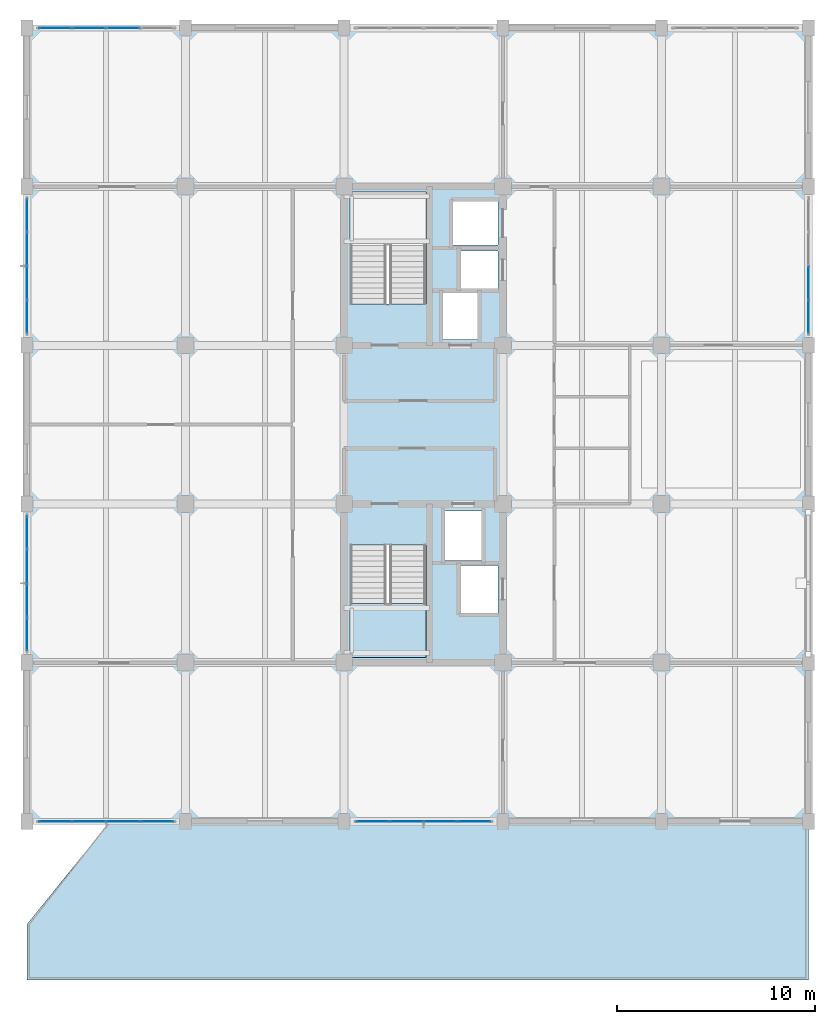
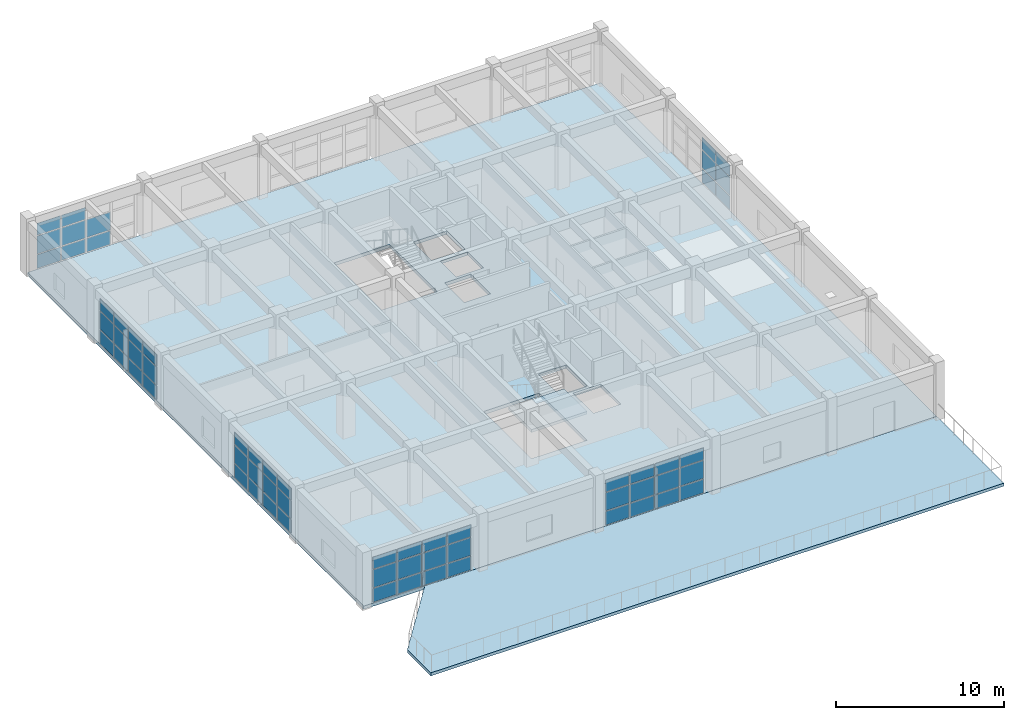
# One storey, part 20 of 30: 62 plates, 3 slabs, 7 elements without a shape of their own.
"""IFC4 building model written with IfcOpenShell, lengths in metres."""

from ifc_helpers import new_model, si_unit, direction, frame, origin, origin_2d, place, context, subcontext, project, spatial, polyline, rectangle, outline, extrude, material, layer, layer_set, type_object, element, aggregate, save


model = new_model("IFC4")

# Units and contexts
model_context = context("Model", 3, precision=1e-05, world=origin(), true_north=direction((0.0, 1.0)))
body_context = subcontext(model_context, "Body", "Model", "MODEL_VIEW")
ifc_project = project(units=[si_unit("LENGTHUNIT", "METRE"), si_unit("AREAUNIT", "SQUARE_METRE"), si_unit("VOLUMEUNIT", "CUBIC_METRE"), si_unit("PLANEANGLEUNIT", "RADIAN"), si_unit("MASSUNIT", "GRAM", prefix="KILO")], contexts=[model_context])

# Site, building, storey
site_placement = place(None, origin())
site = spatial("IfcSite", under=ifc_project, at=site_placement, CompositionType="ELEMENT")
building_placement = place(site_placement, origin())
building = spatial("IfcBuilding", under=site, at=building_placement, Name="Canggui Botanical Conservatory", CompositionType="ELEMENT")
storey_placement = place(building_placement, frame((0.0, 0.0, 27.60009765625)))
storey = spatial("IfcBuildingStorey", under=building, at=storey_placement, Name="L07", CompositionType="ELEMENT", Elevation=27.60009765625)

# Curtain wall, plates
ifc_material_1 = material(Name="Thermally Broken Aluminium", Category="aluminium")
ifc_layer_1 = layer(ifc_material_1, 0.179931640625, Name="Thermally Broken Aluminium", Category="aluminium")
ifc_layer_set_1 = layer_set([ifc_layer_1], Name="Thermally Broken Aluminium")
curtain_wall_type = type_object("IfcCurtainWallType", Name="CW-UNIT-A", PredefinedType="USERDEFINED", material=ifc_layer_set_1)
curtain_wall_1_placement = place(storey_placement, origin())
curtain_wall_1 = element("IfcCurtainWall", 1, at=curtain_wall_1_placement, inside=storey, type_object=curtain_wall_type, Name="Facade Curtain Wall CW-TWR-L07-03", ObjectType="UNITISED CURTAIN WALL", PredefinedType="USERDEFINED")
ifc_material_2 = material(Name="Low-E Insulated Glass", Category="glass")
ifc_layer_2 = layer(ifc_material_2, 0.02587890625, Name="Low-E Insulated Glass", Category="glass")
ifc_layer_set_2 = layer_set([ifc_layer_2], Name="Low-E Insulated Glass")
plate_type = type_object("IfcPlateType", Name="CWP-01", PredefinedType="CURTAIN_PANEL", material=ifc_layer_set_2)
plate_1_placement = place(storey_placement, frame((160.5625, 34.0, 0.06494140625), z_axis=(0.0, 0.0, 1.0), x_axis=(-1.0, 0.0, 0.0)))
plate_1 = element("IfcPlate", 2, at=plate_1_placement, type_object=plate_type, Name="CW-01 panel 1.1", PredefinedType="CURTAIN_PANEL", context=body_context, shape_type="SweptSolid", body=[
    extrude(rectangle(XDim=1.614990234375, YDim=0.02587890625, at=origin_2d()), origin(), (0.0, 0.0, 1.0), 0.990478515625),
])
plate_2_placement = place(storey_placement, frame((160.5625, 34.0, 1.120361328125), z_axis=(0.0, 0.0, 1.0), x_axis=(-1.0, 0.0, 0.0)))
plate_2 = element("IfcPlate", 3, at=plate_2_placement, type_object=plate_type, Name="CW-01 panel 1.2", PredefinedType="CURTAIN_PANEL", context=body_context, shape_type="SweptSolid", body=[
    extrude(rectangle(XDim=1.614990234375, YDim=0.02587890625, at=origin_2d()), origin(), (0.0, 0.0, 1.0), 1.294921875),
])
plate_3_placement = place(storey_placement, frame((160.5625, 34.0, 2.48046875), z_axis=(0.0, 0.0, 1.0), x_axis=(-1.0, 0.0, 0.0)))
plate_3 = element("IfcPlate", 4, at=plate_3_placement, type_object=plate_type, Name="CW-01 panel 1.3", PredefinedType="CURTAIN_PANEL", context=body_context, shape_type="SweptSolid", body=[
    extrude(rectangle(XDim=1.614990234375, YDim=0.02587890625, at=origin_2d()), origin(), (0.0, 0.0, 1.0), 0.8544921875),
])
plate_4_placement = place(storey_placement, frame((158.860107421875, 34.0, 0.06494140625), z_axis=(0.0, 0.0, 1.0), x_axis=(-1.0, 0.0, 0.0)))
plate_4 = element("IfcPlate", 5, at=plate_4_placement, type_object=plate_type, Name="CW-01 panel 2.1", PredefinedType="CURTAIN_PANEL", context=body_context, shape_type="SweptSolid", body=[
    extrude(rectangle(XDim=1.64990234375, YDim=0.02587890625, at=origin_2d()), origin(), (0.0, 0.0, 1.0), 0.990478515625),
])
plate_5_placement = place(storey_placement, frame((158.860107421875, 34.0, 1.120361328125), z_axis=(0.0, 0.0, 1.0), x_axis=(-1.0, 0.0, 0.0)))
plate_5 = element("IfcPlate", 6, at=plate_5_placement, type_object=plate_type, Name="CW-01 panel 2.2", PredefinedType="CURTAIN_PANEL", context=body_context, shape_type="SweptSolid", body=[
    extrude(rectangle(XDim=1.64990234375, YDim=0.02587890625, at=origin_2d()), origin(), (0.0, 0.0, 1.0), 1.294921875),
])
plate_6_placement = place(storey_placement, frame((158.860107421875, 34.0, 2.48046875), z_axis=(0.0, 0.0, 1.0), x_axis=(-1.0, 0.0, 0.0)))
plate_6 = element("IfcPlate", 7, at=plate_6_placement, type_object=plate_type, Name="CW-01 panel 2.3", PredefinedType="CURTAIN_PANEL", context=body_context, shape_type="SweptSolid", body=[
    extrude(rectangle(XDim=1.64990234375, YDim=0.02587890625, at=origin_2d()), origin(), (0.0, 0.0, 1.0), 0.8544921875),
])
plate_7_placement = place(storey_placement, frame((157.139892578125, 34.0, 0.06494140625), z_axis=(0.0, 0.0, 1.0), x_axis=(-1.0, 0.0, 0.0)))
plate_7 = element("IfcPlate", 8, at=plate_7_placement, type_object=plate_type, Name="CW-01 panel 3.1", PredefinedType="CURTAIN_PANEL", context=body_context, shape_type="SweptSolid", body=[
    extrude(rectangle(XDim=1.64990234375, YDim=0.02587890625, at=origin_2d()), origin(), (0.0, 0.0, 1.0), 0.990478515625),
])
plate_8_placement = place(storey_placement, frame((157.139892578125, 34.0, 1.120361328125), z_axis=(0.0, 0.0, 1.0), x_axis=(-1.0, 0.0, 0.0)))
plate_8 = element("IfcPlate", 9, at=plate_8_placement, type_object=plate_type, Name="CW-01 panel 3.2", PredefinedType="CURTAIN_PANEL", context=body_context, shape_type="SweptSolid", body=[
    extrude(rectangle(XDim=1.64990234375, YDim=0.02587890625, at=origin_2d()), origin(), (0.0, 0.0, 1.0), 1.294921875),
])
plate_9_placement = place(storey_placement, frame((157.139892578125, 34.0, 2.48046875), z_axis=(0.0, 0.0, 1.0), x_axis=(-1.0, 0.0, 0.0)))
plate_9 = element("IfcPlate", 10, at=plate_9_placement, type_object=plate_type, Name="CW-01 panel 3.3", PredefinedType="CURTAIN_PANEL", context=body_context, shape_type="SweptSolid", body=[
    extrude(rectangle(XDim=1.64990234375, YDim=0.02587890625, at=origin_2d()), origin(), (0.0, 0.0, 1.0), 0.8544921875),
])
plate_10_placement = place(storey_placement, frame((155.4375, 34.0, 0.06494140625), z_axis=(0.0, 0.0, 1.0), x_axis=(-1.0, 0.0, 0.0)))
plate_10 = element("IfcPlate", 11, at=plate_10_placement, type_object=plate_type, Name="CW-01 panel 4.1", PredefinedType="CURTAIN_PANEL", context=body_context, shape_type="SweptSolid", body=[
    extrude(rectangle(XDim=1.614990234375, YDim=0.02587890625, at=origin_2d()), origin(), (0.0, 0.0, 1.0), 0.990478515625),
])
plate_11_placement = place(storey_placement, frame((155.4375, 34.0, 1.120361328125), z_axis=(0.0, 0.0, 1.0), x_axis=(-1.0, 0.0, 0.0)))
plate_11 = element("IfcPlate", 12, at=plate_11_placement, type_object=plate_type, Name="CW-01 panel 4.2", PredefinedType="CURTAIN_PANEL", context=body_context, shape_type="SweptSolid", body=[
    extrude(rectangle(XDim=1.614990234375, YDim=0.02587890625, at=origin_2d()), origin(), (0.0, 0.0, 1.0), 1.294921875),
])
plate_12_placement = place(storey_placement, frame((155.4375, 34.0, 2.48046875), z_axis=(0.0, 0.0, 1.0), x_axis=(-1.0, 0.0, 0.0)))
plate_12 = element("IfcPlate", 13, at=plate_12_placement, type_object=plate_type, Name="CW-01 panel 4.3", PredefinedType="CURTAIN_PANEL", context=body_context, shape_type="SweptSolid", body=[
    extrude(rectangle(XDim=1.614990234375, YDim=0.02587890625, at=origin_2d()), origin(), (0.0, 0.0, 1.0), 0.8544921875),
])
aggregate(curtain_wall_1, [plate_1, plate_2, plate_3, plate_4, plate_5, plate_6, plate_7, plate_8, plate_9, plate_10, plate_11, plate_12])

curtain_wall_2_placement = place(storey_placement, origin())
curtain_wall_2 = element("IfcCurtainWall", 14, at=curtain_wall_2_placement, inside=storey, type_object=curtain_wall_type, Name="Facade Curtain Wall CW-TWR-L07-05", ObjectType="UNITISED CURTAIN WALL", PredefinedType="USERDEFINED")
plate_13_placement = place(storey_placement, frame((144.5625, 34.0, 0.06494140625), z_axis=(0.0, 0.0, 1.0), x_axis=(-1.0, 0.0, 0.0)))
plate_13 = element("IfcPlate", 15, at=plate_13_placement, type_object=plate_type, Name="CW-01 panel 1.1", PredefinedType="CURTAIN_PANEL", context=body_context, shape_type="SweptSolid", body=[
    extrude(rectangle(XDim=1.614990234375, YDim=0.02587890625, at=origin_2d()), origin(), (0.0, 0.0, 1.0), 0.990478515625),
])
plate_14_placement = place(storey_placement, frame((144.5625, 34.0, 1.120361328125), z_axis=(0.0, 0.0, 1.0), x_axis=(-1.0, 0.0, 0.0)))
plate_14 = element("IfcPlate", 16, at=plate_14_placement, type_object=plate_type, Name="CW-01 panel 1.2", PredefinedType="CURTAIN_PANEL", context=body_context, shape_type="SweptSolid", body=[
    extrude(rectangle(XDim=1.614990234375, YDim=0.02587890625, at=origin_2d()), origin(), (0.0, 0.0, 1.0), 1.294921875),
])
plate_15_placement = place(storey_placement, frame((144.5625, 34.0, 2.48046875), z_axis=(0.0, 0.0, 1.0), x_axis=(-1.0, 0.0, 0.0)))
plate_15 = element("IfcPlate", 17, at=plate_15_placement, type_object=plate_type, Name="CW-01 panel 1.3", PredefinedType="CURTAIN_PANEL", context=body_context, shape_type="SweptSolid", body=[
    extrude(rectangle(XDim=1.614990234375, YDim=0.02587890625, at=origin_2d()), origin(), (0.0, 0.0, 1.0), 0.8544921875),
])
plate_16_placement = place(storey_placement, frame((142.860107421875, 34.0, 0.06494140625), z_axis=(0.0, 0.0, 1.0), x_axis=(-1.0, 0.0, 0.0)))
plate_16 = element("IfcPlate", 18, at=plate_16_placement, type_object=plate_type, Name="CW-01 panel 2.1", PredefinedType="CURTAIN_PANEL", context=body_context, shape_type="SweptSolid", body=[
    extrude(rectangle(XDim=1.64990234375, YDim=0.02587890625, at=origin_2d()), origin(), (0.0, 0.0, 1.0), 0.990478515625),
])
plate_17_placement = place(storey_placement, frame((142.860107421875, 34.0, 1.120361328125), z_axis=(0.0, 0.0, 1.0), x_axis=(-1.0, 0.0, 0.0)))
plate_17 = element("IfcPlate", 19, at=plate_17_placement, type_object=plate_type, Name="CW-01 panel 2.2", PredefinedType="CURTAIN_PANEL", context=body_context, shape_type="SweptSolid", body=[
    extrude(rectangle(XDim=1.64990234375, YDim=0.02587890625, at=origin_2d()), origin(), (0.0, 0.0, 1.0), 1.294921875),
])
plate_18_placement = place(storey_placement, frame((142.860107421875, 34.0, 2.48046875), z_axis=(0.0, 0.0, 1.0), x_axis=(-1.0, 0.0, 0.0)))
plate_18 = element("IfcPlate", 20, at=plate_18_placement, type_object=plate_type, Name="CW-01 panel 2.3", PredefinedType="CURTAIN_PANEL", context=body_context, shape_type="SweptSolid", body=[
    extrude(rectangle(XDim=1.64990234375, YDim=0.02587890625, at=origin_2d()), origin(), (0.0, 0.0, 1.0), 0.8544921875),
])
plate_19_placement = place(storey_placement, frame((141.139892578125, 34.0, 0.06494140625), z_axis=(0.0, 0.0, 1.0), x_axis=(-1.0, 0.0, 0.0)))
plate_19 = element("IfcPlate", 21, at=plate_19_placement, type_object=plate_type, Name="CW-01 panel 3.1", PredefinedType="CURTAIN_PANEL", context=body_context, shape_type="SweptSolid", body=[
    extrude(rectangle(XDim=1.64990234375, YDim=0.02587890625, at=origin_2d()), origin(), (0.0, 0.0, 1.0), 0.990478515625),
])
plate_20_placement = place(storey_placement, frame((141.139892578125, 34.0, 1.120361328125), z_axis=(0.0, 0.0, 1.0), x_axis=(-1.0, 0.0, 0.0)))
plate_20 = element("IfcPlate", 22, at=plate_20_placement, type_object=plate_type, Name="CW-01 panel 3.2", PredefinedType="CURTAIN_PANEL", context=body_context, shape_type="SweptSolid", body=[
    extrude(rectangle(XDim=1.64990234375, YDim=0.02587890625, at=origin_2d()), origin(), (0.0, 0.0, 1.0), 1.294921875),
])
plate_21_placement = place(storey_placement, frame((141.139892578125, 34.0, 2.48046875), z_axis=(0.0, 0.0, 1.0), x_axis=(-1.0, 0.0, 0.0)))
plate_21 = element("IfcPlate", 23, at=plate_21_placement, type_object=plate_type, Name="CW-01 panel 3.3", PredefinedType="CURTAIN_PANEL", context=body_context, shape_type="SweptSolid", body=[
    extrude(rectangle(XDim=1.64990234375, YDim=0.02587890625, at=origin_2d()), origin(), (0.0, 0.0, 1.0), 0.8544921875),
])
plate_22_placement = place(storey_placement, frame((139.4375, 34.0, 0.06494140625), z_axis=(0.0, 0.0, 1.0), x_axis=(-1.0, 0.0, 0.0)))
plate_22 = element("IfcPlate", 24, at=plate_22_placement, type_object=plate_type, Name="CW-01 panel 4.1", PredefinedType="CURTAIN_PANEL", context=body_context, shape_type="SweptSolid", body=[
    extrude(rectangle(XDim=1.614990234375, YDim=0.02587890625, at=origin_2d()), origin(), (0.0, 0.0, 1.0), 0.990478515625),
])
plate_23_placement = place(storey_placement, frame((139.4375, 34.0, 1.120361328125), z_axis=(0.0, 0.0, 1.0), x_axis=(-1.0, 0.0, 0.0)))
plate_23 = element("IfcPlate", 25, at=plate_23_placement, type_object=plate_type, Name="CW-01 panel 4.2", PredefinedType="CURTAIN_PANEL", context=body_context, shape_type="SweptSolid", body=[
    extrude(rectangle(XDim=1.614990234375, YDim=0.02587890625, at=origin_2d()), origin(), (0.0, 0.0, 1.0), 1.294921875),
])
plate_24_placement = place(storey_placement, frame((139.4375, 34.0, 2.48046875), z_axis=(0.0, 0.0, 1.0), x_axis=(-1.0, 0.0, 0.0)))
plate_24 = element("IfcPlate", 26, at=plate_24_placement, type_object=plate_type, Name="CW-01 panel 4.3", PredefinedType="CURTAIN_PANEL", context=body_context, shape_type="SweptSolid", body=[
    extrude(rectangle(XDim=1.614990234375, YDim=0.02587890625, at=origin_2d()), origin(), (0.0, 0.0, 1.0), 0.8544921875),
])
aggregate(curtain_wall_2, [plate_13, plate_14, plate_15, plate_16, plate_17, plate_18, plate_19, plate_20, plate_21, plate_22, plate_23, plate_24])

curtain_wall_3_placement = place(storey_placement, origin())
curtain_wall_3 = element("IfcCurtainWall", 27, at=curtain_wall_3_placement, inside=storey, type_object=curtain_wall_type, Name="Facade Curtain Wall CW-TWR-L07-07", ObjectType="UNITISED CURTAIN WALL", PredefinedType="USERDEFINED")
plate_25_placement = place(storey_placement, frame((138.0, 43.4375, 0.06494140625), z_axis=(0.0, 0.0, 1.0), x_axis=(0.0, 1.0, 0.0)))
plate_25 = element("IfcPlate", 28, at=plate_25_placement, type_object=plate_type, Name="CW-01 panel 1.1", PredefinedType="CURTAIN_PANEL", context=body_context, shape_type="SweptSolid", body=[
    extrude(rectangle(XDim=1.614990234375, YDim=0.02587890625, at=origin_2d()), origin(), (0.0, 0.0, 1.0), 0.990478515625),
])
plate_26_placement = place(storey_placement, frame((138.0, 43.4375, 1.120361328125), z_axis=(0.0, 0.0, 1.0), x_axis=(0.0, 1.0, 0.0)))
plate_26 = element("IfcPlate", 29, at=plate_26_placement, type_object=plate_type, Name="CW-01 panel 1.2", PredefinedType="CURTAIN_PANEL", context=body_context, shape_type="SweptSolid", body=[
    extrude(rectangle(XDim=1.614990234375, YDim=0.02587890625, at=origin_2d()), origin(), (0.0, 0.0, 1.0), 1.294921875),
])
plate_27_placement = place(storey_placement, frame((138.0, 43.4375, 2.48046875), z_axis=(0.0, 0.0, 1.0), x_axis=(0.0, 1.0, 0.0)))
plate_27 = element("IfcPlate", 30, at=plate_27_placement, type_object=plate_type, Name="CW-01 panel 1.3", PredefinedType="CURTAIN_PANEL", context=body_context, shape_type="SweptSolid", body=[
    extrude(rectangle(XDim=1.614990234375, YDim=0.02587890625, at=origin_2d()), origin(), (0.0, 0.0, 1.0), 0.8544921875),
])
plate_28_placement = place(storey_placement, frame((138.0, 45.139892578125, 0.06494140625), z_axis=(0.0, 0.0, 1.0), x_axis=(0.0, 1.0, 0.0)))
plate_28 = element("IfcPlate", 31, at=plate_28_placement, type_object=plate_type, Name="CW-01 panel 2.1", PredefinedType="CURTAIN_PANEL", context=body_context, shape_type="SweptSolid", body=[
    extrude(rectangle(XDim=1.64990234375, YDim=0.02587890625, at=origin_2d()), origin(), (0.0, 0.0, 1.0), 0.990478515625),
])
plate_29_placement = place(storey_placement, frame((138.0, 45.139892578125, 1.120361328125), z_axis=(0.0, 0.0, 1.0), x_axis=(0.0, 1.0, 0.0)))
plate_29 = element("IfcPlate", 32, at=plate_29_placement, type_object=plate_type, Name="CW-01 panel 2.2", PredefinedType="CURTAIN_PANEL", context=body_context, shape_type="SweptSolid", body=[
    extrude(rectangle(XDim=1.64990234375, YDim=0.02587890625, at=origin_2d()), origin(), (0.0, 0.0, 1.0), 1.294921875),
])
plate_30_placement = place(storey_placement, frame((138.0, 45.139892578125, 2.48046875), z_axis=(0.0, 0.0, 1.0), x_axis=(0.0, 1.0, 0.0)))
plate_30 = element("IfcPlate", 33, at=plate_30_placement, type_object=plate_type, Name="CW-01 panel 2.3", PredefinedType="CURTAIN_PANEL", context=body_context, shape_type="SweptSolid", body=[
    extrude(rectangle(XDim=1.64990234375, YDim=0.02587890625, at=origin_2d()), origin(), (0.0, 0.0, 1.0), 0.8544921875),
])
plate_31_placement = place(storey_placement, frame((138.0, 46.860107421875, 0.06494140625), z_axis=(0.0, 0.0, 1.0), x_axis=(0.0, 1.0, 0.0)))
plate_31 = element("IfcPlate", 34, at=plate_31_placement, type_object=plate_type, Name="CW-01 panel 3.1", PredefinedType="CURTAIN_PANEL", context=body_context, shape_type="SweptSolid", body=[
    extrude(rectangle(XDim=1.64990234375, YDim=0.02587890625, at=origin_2d()), origin(), (0.0, 0.0, 1.0), 0.990478515625),
])
plate_32_placement = place(storey_placement, frame((138.0, 46.860107421875, 1.120361328125), z_axis=(0.0, 0.0, 1.0), x_axis=(0.0, 1.0, 0.0)))
plate_32 = element("IfcPlate", 35, at=plate_32_placement, type_object=plate_type, Name="CW-01 panel 3.2", PredefinedType="CURTAIN_PANEL", context=body_context, shape_type="SweptSolid", body=[
    extrude(rectangle(XDim=1.64990234375, YDim=0.02587890625, at=origin_2d()), origin(), (0.0, 0.0, 1.0), 1.294921875),
])
plate_33_placement = place(storey_placement, frame((138.0, 46.860107421875, 2.48046875), z_axis=(0.0, 0.0, 1.0), x_axis=(0.0, 1.0, 0.0)))
plate_33 = element("IfcPlate", 36, at=plate_33_placement, type_object=plate_type, Name="CW-01 panel 3.3", PredefinedType="CURTAIN_PANEL", context=body_context, shape_type="SweptSolid", body=[
    extrude(rectangle(XDim=1.64990234375, YDim=0.02587890625, at=origin_2d()), origin(), (0.0, 0.0, 1.0), 0.8544921875),
])
plate_34_placement = place(storey_placement, frame((138.0, 48.5625, 0.06494140625), z_axis=(0.0, 0.0, 1.0), x_axis=(0.0, 1.0, 0.0)))
plate_34 = element("IfcPlate", 37, at=plate_34_placement, type_object=plate_type, Name="CW-01 panel 4.1", PredefinedType="CURTAIN_PANEL", context=body_context, shape_type="SweptSolid", body=[
    extrude(rectangle(XDim=1.614990234375, YDim=0.02587890625, at=origin_2d()), origin(), (0.0, 0.0, 1.0), 0.990478515625),
])
plate_35_placement = place(storey_placement, frame((138.0, 48.5625, 1.120361328125), z_axis=(0.0, 0.0, 1.0), x_axis=(0.0, 1.0, 0.0)))
plate_35 = element("IfcPlate", 38, at=plate_35_placement, type_object=plate_type, Name="CW-01 panel 4.2", PredefinedType="CURTAIN_PANEL", context=body_context, shape_type="SweptSolid", body=[
    extrude(rectangle(XDim=1.614990234375, YDim=0.02587890625, at=origin_2d()), origin(), (0.0, 0.0, 1.0), 1.294921875),
])
plate_36_placement = place(storey_placement, frame((138.0, 48.5625, 2.48046875), z_axis=(0.0, 0.0, 1.0), x_axis=(0.0, 1.0, 0.0)))
plate_36 = element("IfcPlate", 39, at=plate_36_placement, type_object=plate_type, Name="CW-01 panel 4.3", PredefinedType="CURTAIN_PANEL", context=body_context, shape_type="SweptSolid", body=[
    extrude(rectangle(XDim=1.614990234375, YDim=0.02587890625, at=origin_2d()), origin(), (0.0, 0.0, 1.0), 0.8544921875),
])
aggregate(curtain_wall_3, [plate_25, plate_26, plate_27, plate_28, plate_29, plate_30, plate_31, plate_32, plate_33, plate_34, plate_35, plate_36])

curtain_wall_4_placement = place(storey_placement, origin())
curtain_wall_4 = element("IfcCurtainWall", 40, at=curtain_wall_4_placement, inside=storey, type_object=curtain_wall_type, Name="Facade Curtain Wall CW-TWR-L07-09", ObjectType="UNITISED CURTAIN WALL", PredefinedType="USERDEFINED")
plate_37_placement = place(storey_placement, frame((138.0, 59.4375, 0.06494140625), z_axis=(0.0, 0.0, 1.0), x_axis=(0.0, 1.0, 0.0)))
plate_37 = element("IfcPlate", 41, at=plate_37_placement, type_object=plate_type, Name="CW-01 panel 1.1", PredefinedType="CURTAIN_PANEL", context=body_context, shape_type="SweptSolid", body=[
    extrude(rectangle(XDim=1.614990234375, YDim=0.02587890625, at=origin_2d()), origin(), (0.0, 0.0, 1.0), 0.990478515625),
])
plate_38_placement = place(storey_placement, frame((138.0, 59.4375, 1.120361328125), z_axis=(0.0, 0.0, 1.0), x_axis=(0.0, 1.0, 0.0)))
plate_38 = element("IfcPlate", 42, at=plate_38_placement, type_object=plate_type, Name="CW-01 panel 1.2", PredefinedType="CURTAIN_PANEL", context=body_context, shape_type="SweptSolid", body=[
    extrude(rectangle(XDim=1.614990234375, YDim=0.02587890625, at=origin_2d()), origin(), (0.0, 0.0, 1.0), 1.294921875),
])
plate_39_placement = place(storey_placement, frame((138.0, 59.4375, 2.48046875), z_axis=(0.0, 0.0, 1.0), x_axis=(0.0, 1.0, 0.0)))
plate_39 = element("IfcPlate", 43, at=plate_39_placement, type_object=plate_type, Name="CW-01 panel 1.3", PredefinedType="CURTAIN_PANEL", context=body_context, shape_type="SweptSolid", body=[
    extrude(rectangle(XDim=1.614990234375, YDim=0.02587890625, at=origin_2d()), origin(), (0.0, 0.0, 1.0), 0.8544921875),
])
plate_40_placement = place(storey_placement, frame((138.0, 61.139892578125, 0.06494140625), z_axis=(0.0, 0.0, 1.0), x_axis=(0.0, 1.0, 0.0)))
plate_40 = element("IfcPlate", 44, at=plate_40_placement, type_object=plate_type, Name="CW-01 panel 2.1", PredefinedType="CURTAIN_PANEL", context=body_context, shape_type="SweptSolid", body=[
    extrude(rectangle(XDim=1.64990234375, YDim=0.02587890625, at=origin_2d()), origin(), (0.0, 0.0, 1.0), 0.990478515625),
])
plate_41_placement = place(storey_placement, frame((138.0, 61.139892578125, 1.120361328125), z_axis=(0.0, 0.0, 1.0), x_axis=(0.0, 1.0, 0.0)))
plate_41 = element("IfcPlate", 45, at=plate_41_placement, type_object=plate_type, Name="CW-01 panel 2.2", PredefinedType="CURTAIN_PANEL", context=body_context, shape_type="SweptSolid", body=[
    extrude(rectangle(XDim=1.64990234375, YDim=0.02587890625, at=origin_2d()), origin(), (0.0, 0.0, 1.0), 1.294921875),
])
plate_42_placement = place(storey_placement, frame((138.0, 61.139892578125, 2.48046875), z_axis=(0.0, 0.0, 1.0), x_axis=(0.0, 1.0, 0.0)))
plate_42 = element("IfcPlate", 46, at=plate_42_placement, type_object=plate_type, Name="CW-01 panel 2.3", PredefinedType="CURTAIN_PANEL", context=body_context, shape_type="SweptSolid", body=[
    extrude(rectangle(XDim=1.64990234375, YDim=0.02587890625, at=origin_2d()), origin(), (0.0, 0.0, 1.0), 0.8544921875),
])
plate_43_placement = place(storey_placement, frame((138.0, 62.860107421875, 0.06494140625), z_axis=(0.0, 0.0, 1.0), x_axis=(0.0, 1.0, 0.0)))
plate_43 = element("IfcPlate", 47, at=plate_43_placement, type_object=plate_type, Name="CW-01 panel 3.1", PredefinedType="CURTAIN_PANEL", context=body_context, shape_type="SweptSolid", body=[
    extrude(rectangle(XDim=1.64990234375, YDim=0.02587890625, at=origin_2d()), origin(), (0.0, 0.0, 1.0), 0.990478515625),
])
plate_44_placement = place(storey_placement, frame((138.0, 62.860107421875, 1.120361328125), z_axis=(0.0, 0.0, 1.0), x_axis=(0.0, 1.0, 0.0)))
plate_44 = element("IfcPlate", 48, at=plate_44_placement, type_object=plate_type, Name="CW-01 panel 3.2", PredefinedType="CURTAIN_PANEL", context=body_context, shape_type="SweptSolid", body=[
    extrude(rectangle(XDim=1.64990234375, YDim=0.02587890625, at=origin_2d()), origin(), (0.0, 0.0, 1.0), 1.294921875),
])
plate_45_placement = place(storey_placement, frame((138.0, 62.860107421875, 2.48046875), z_axis=(0.0, 0.0, 1.0), x_axis=(0.0, 1.0, 0.0)))
plate_45 = element("IfcPlate", 49, at=plate_45_placement, type_object=plate_type, Name="CW-01 panel 3.3", PredefinedType="CURTAIN_PANEL", context=body_context, shape_type="SweptSolid", body=[
    extrude(rectangle(XDim=1.64990234375, YDim=0.02587890625, at=origin_2d()), origin(), (0.0, 0.0, 1.0), 0.8544921875),
])
plate_46_placement = place(storey_placement, frame((138.0, 64.5625, 0.06494140625), z_axis=(0.0, 0.0, 1.0), x_axis=(0.0, 1.0, 0.0)))
plate_46 = element("IfcPlate", 50, at=plate_46_placement, type_object=plate_type, Name="CW-01 panel 4.1", PredefinedType="CURTAIN_PANEL", context=body_context, shape_type="SweptSolid", body=[
    extrude(rectangle(XDim=1.614990234375, YDim=0.02587890625, at=origin_2d()), origin(), (0.0, 0.0, 1.0), 0.990478515625),
])
plate_47_placement = place(storey_placement, frame((138.0, 64.5625, 1.120361328125), z_axis=(0.0, 0.0, 1.0), x_axis=(0.0, 1.0, 0.0)))
plate_47 = element("IfcPlate", 51, at=plate_47_placement, type_object=plate_type, Name="CW-01 panel 4.2", PredefinedType="CURTAIN_PANEL", context=body_context, shape_type="SweptSolid", body=[
    extrude(rectangle(XDim=1.614990234375, YDim=0.02587890625, at=origin_2d()), origin(), (0.0, 0.0, 1.0), 1.294921875),
])
plate_48_placement = place(storey_placement, frame((138.0, 64.5625, 2.48046875), z_axis=(0.0, 0.0, 1.0), x_axis=(0.0, 1.0, 0.0)))
plate_48 = element("IfcPlate", 52, at=plate_48_placement, type_object=plate_type, Name="CW-01 panel 4.3", PredefinedType="CURTAIN_PANEL", context=body_context, shape_type="SweptSolid", body=[
    extrude(rectangle(XDim=1.614990234375, YDim=0.02587890625, at=origin_2d()), origin(), (0.0, 0.0, 1.0), 0.8544921875),
])
aggregate(curtain_wall_4, [plate_37, plate_38, plate_39, plate_40, plate_41, plate_42, plate_43, plate_44, plate_45, plate_46, plate_47, plate_48])

curtain_wall_5_placement = place(storey_placement, origin())
curtain_wall_5 = element("IfcCurtainWall", 53, at=curtain_wall_5_placement, inside=storey, type_object=curtain_wall_type, Name="Facade Curtain Wall CW-TWR-L07-11", ObjectType="UNITISED CURTAIN WALL", PredefinedType="USERDEFINED")
plate_49_placement = place(storey_placement, frame((139.4375, 74.0, 0.06494140625), z_axis=(0.0, 0.0, 1.0), x_axis=(1.0, 0.0, 0.0)))
plate_49 = element("IfcPlate", 54, at=plate_49_placement, type_object=plate_type, Name="CW-01 panel 1.1", PredefinedType="CURTAIN_PANEL", context=body_context, shape_type="SweptSolid", body=[
    extrude(rectangle(XDim=1.614990234375, YDim=0.02587890625, at=origin_2d()), origin(), (0.0, 0.0, 1.0), 0.990478515625),
])
plate_50_placement = place(storey_placement, frame((139.4375, 74.0, 1.120361328125), z_axis=(0.0, 0.0, 1.0), x_axis=(1.0, 0.0, 0.0)))
plate_50 = element("IfcPlate", 55, at=plate_50_placement, type_object=plate_type, Name="CW-01 panel 1.2", PredefinedType="CURTAIN_PANEL", context=body_context, shape_type="SweptSolid", body=[
    extrude(rectangle(XDim=1.614990234375, YDim=0.02587890625, at=origin_2d()), origin(), (0.0, 0.0, 1.0), 1.294921875),
])
plate_51_placement = place(storey_placement, frame((139.4375, 74.0, 2.48046875), z_axis=(0.0, 0.0, 1.0), x_axis=(1.0, 0.0, 0.0)))
plate_51 = element("IfcPlate", 56, at=plate_51_placement, type_object=plate_type, Name="CW-01 panel 1.3", PredefinedType="CURTAIN_PANEL", context=body_context, shape_type="SweptSolid", body=[
    extrude(rectangle(XDim=1.614990234375, YDim=0.02587890625, at=origin_2d()), origin(), (0.0, 0.0, 1.0), 0.8544921875),
])
plate_52_placement = place(storey_placement, frame((141.139892578125, 74.0, 0.06494140625), z_axis=(0.0, 0.0, 1.0), x_axis=(1.0, 0.0, 0.0)))
plate_52 = element("IfcPlate", 57, at=plate_52_placement, type_object=plate_type, Name="CW-01 panel 2.1", PredefinedType="CURTAIN_PANEL", context=body_context, shape_type="SweptSolid", body=[
    extrude(rectangle(XDim=1.64990234375, YDim=0.02587890625, at=origin_2d()), origin(), (0.0, 0.0, 1.0), 0.990478515625),
])
plate_53_placement = place(storey_placement, frame((141.139892578125, 74.0, 1.120361328125), z_axis=(0.0, 0.0, 1.0), x_axis=(1.0, 0.0, 0.0)))
plate_53 = element("IfcPlate", 58, at=plate_53_placement, type_object=plate_type, Name="CW-01 panel 2.2", PredefinedType="CURTAIN_PANEL", context=body_context, shape_type="SweptSolid", body=[
    extrude(rectangle(XDim=1.64990234375, YDim=0.02587890625, at=origin_2d()), origin(), (0.0, 0.0, 1.0), 1.294921875),
])
plate_54_placement = place(storey_placement, frame((141.139892578125, 74.0, 2.48046875), z_axis=(0.0, 0.0, 1.0), x_axis=(1.0, 0.0, 0.0)))
plate_54 = element("IfcPlate", 59, at=plate_54_placement, type_object=plate_type, Name="CW-01 panel 2.3", PredefinedType="CURTAIN_PANEL", context=body_context, shape_type="SweptSolid", body=[
    extrude(rectangle(XDim=1.64990234375, YDim=0.02587890625, at=origin_2d()), origin(), (0.0, 0.0, 1.0), 0.8544921875),
])
plate_55_placement = place(storey_placement, frame((142.860107421875, 74.0, 0.06494140625), z_axis=(0.0, 0.0, 1.0), x_axis=(1.0, 0.0, 0.0)))
plate_55 = element("IfcPlate", 60, at=plate_55_placement, type_object=plate_type, Name="CW-01 panel 3.1", PredefinedType="CURTAIN_PANEL", context=body_context, shape_type="SweptSolid", body=[
    extrude(rectangle(XDim=1.64990234375, YDim=0.02587890625, at=origin_2d()), origin(), (0.0, 0.0, 1.0), 0.990478515625),
])
plate_56_placement = place(storey_placement, frame((142.860107421875, 74.0, 1.120361328125), z_axis=(0.0, 0.0, 1.0), x_axis=(1.0, 0.0, 0.0)))
plate_56 = element("IfcPlate", 61, at=plate_56_placement, type_object=plate_type, Name="CW-01 panel 3.2", PredefinedType="CURTAIN_PANEL", context=body_context, shape_type="SweptSolid", body=[
    extrude(rectangle(XDim=1.64990234375, YDim=0.02587890625, at=origin_2d()), origin(), (0.0, 0.0, 1.0), 1.294921875),
])
aggregate(curtain_wall_5, [plate_49, plate_50, plate_51, plate_52, plate_53, plate_54, plate_55, plate_56])

curtain_wall_6_placement = place(storey_placement, origin())
curtain_wall_6 = element("IfcCurtainWall", 62, at=curtain_wall_6_placement, inside=storey, type_object=curtain_wall_type, Name="Facade Curtain Wall CW-TWR-L07-17", ObjectType="UNITISED CURTAIN WALL", PredefinedType="USERDEFINED")
plate_57_placement = place(storey_placement, frame((177.39990234375, 61.139892578125, 0.06494140625), z_axis=(0.0, 0.0, 1.0), x_axis=(0.0, -1.0, 0.0)))
plate_57 = element("IfcPlate", 63, at=plate_57_placement, type_object=plate_type, Name="CW-01 panel 3.1", PredefinedType="CURTAIN_PANEL", context=body_context, shape_type="SweptSolid", body=[
    extrude(rectangle(XDim=1.64990234375, YDim=0.02587890625, at=origin_2d()), origin(), (0.0, 0.0, 1.0), 0.990478515625),
])
plate_58_placement = place(storey_placement, frame((177.39990234375, 61.139892578125, 1.120361328125), z_axis=(0.0, 0.0, 1.0), x_axis=(0.0, -1.0, 0.0)))
plate_58 = element("IfcPlate", 64, at=plate_58_placement, type_object=plate_type, Name="CW-01 panel 3.2", PredefinedType="CURTAIN_PANEL", context=body_context, shape_type="SweptSolid", body=[
    extrude(rectangle(XDim=1.64990234375, YDim=0.02587890625, at=origin_2d()), origin(), (0.0, 0.0, 1.0), 1.294921875),
])
plate_59_placement = place(storey_placement, frame((177.39990234375, 61.139892578125, 2.48046875), z_axis=(0.0, 0.0, 1.0), x_axis=(0.0, -1.0, 0.0)))
plate_59 = element("IfcPlate", 65, at=plate_59_placement, type_object=plate_type, Name="CW-01 panel 3.3", PredefinedType="CURTAIN_PANEL", context=body_context, shape_type="SweptSolid", body=[
    extrude(rectangle(XDim=1.64990234375, YDim=0.02587890625, at=origin_2d()), origin(), (0.0, 0.0, 1.0), 0.8544921875),
])
plate_60_placement = place(storey_placement, frame((177.39990234375, 59.4375, 0.06494140625), z_axis=(0.0, 0.0, 1.0), x_axis=(0.0, -1.0, 0.0)))
plate_60 = element("IfcPlate", 66, at=plate_60_placement, type_object=plate_type, Name="CW-01 panel 4.1", PredefinedType="CURTAIN_PANEL", context=body_context, shape_type="SweptSolid", body=[
    extrude(rectangle(XDim=1.614990234375, YDim=0.02587890625, at=origin_2d()), origin(), (0.0, 0.0, 1.0), 0.990478515625),
])
plate_61_placement = place(storey_placement, frame((177.39990234375, 59.4375, 1.120361328125), z_axis=(0.0, 0.0, 1.0), x_axis=(0.0, -1.0, 0.0)))
plate_61 = element("IfcPlate", 67, at=plate_61_placement, type_object=plate_type, Name="CW-01 panel 4.2", PredefinedType="CURTAIN_PANEL", context=body_context, shape_type="SweptSolid", body=[
    extrude(rectangle(XDim=1.614990234375, YDim=0.02587890625, at=origin_2d()), origin(), (0.0, 0.0, 1.0), 1.294921875),
])
plate_62_placement = place(storey_placement, frame((177.39990234375, 59.4375, 2.48046875), z_axis=(0.0, 0.0, 1.0), x_axis=(0.0, -1.0, 0.0)))
plate_62 = element("IfcPlate", 68, at=plate_62_placement, type_object=plate_type, Name="CW-01 panel 4.3", PredefinedType="CURTAIN_PANEL", context=body_context, shape_type="SweptSolid", body=[
    extrude(rectangle(XDim=1.614990234375, YDim=0.02587890625, at=origin_2d()), origin(), (0.0, 0.0, 1.0), 0.8544921875),
])
aggregate(curtain_wall_6, [plate_57, plate_58, plate_59, plate_60, plate_61, plate_62])

# Slabs
ifc_material_3 = material(Name="Concrete C35", Category="concrete")
ifc_layer_3 = layer(ifc_material_3, 0.219970703125, Name="Concrete C35", Category="concrete")
ifc_layer_set_3 = layer_set([ifc_layer_3], Name="Concrete C35")
slab_type_1 = type_object("IfcSlabType", Name="SLAB-F220", PredefinedType="FLOOR", material=ifc_layer_set_3)
slab_1_placement = place(storey_placement, frame((0.0, 0.0, -0.22021484375)))
element("IfcSlab", 69, at=slab_1_placement, inside=storey, type_object=slab_type_1, Name="Research Tower L07 Planted Sky Terrace Slab", PredefinedType="FLOOR", context=body_context, shape_type="SweptSolid", body=[
    extrude(outline(polyline([(138.0, 26.0), (177.39990234375, 26.0), (177.39990234375, 34.0), (142.199951171875, 34.0), (138.0, 28.800048828125), (138.0, 26.0)])), origin(), (0.0, 0.0, 1.0), 0.22021484375),
])
ifc_layer_4 = layer(ifc_material_3, 0.239990234375, Name="Concrete C35", Category="concrete")
ifc_layer_set_4 = layer_set([ifc_layer_4], Name="Concrete C35")
slab_type_2 = type_object("IfcSlabType", Name="SLAB-F240", PredefinedType="FLOOR", material=ifc_layer_set_4)
slab_2_placement = place(storey_placement, frame((0.0, 0.0, -0.239990234375)))
element("IfcSlab", 70, at=slab_2_placement, inside=storey, type_object=slab_type_2, Name="Research Tower L07 Floor Slab", PredefinedType="FLOOR", context=body_context, shape_type="SweptSolid", body=[
    extrude(outline(polyline([(138.0, 34.0), (177.39990234375, 34.0), (177.39990234375, 74.0), (138.0, 74.0), (138.0, 34.0)]), holes=[polyline([(154.300048828125, 47.91943359375), (154.300048828125, 42.260009765625), (158.1201171875, 42.260009765625), (158.1201171875, 47.91943359375), (154.300048828125, 47.91943359375)]), polyline([(158.1201171875, 60.08056640625), (158.1201171875, 65.739990234375), (154.300048828125, 65.739990234375), (154.300048828125, 60.08056640625), (158.1201171875, 60.08056640625)]), polyline([(159.050048828125, 47.14990234375), (160.949951171875, 47.14990234375), (160.949951171875, 49.64990234375), (159.050048828125, 49.64990234375), (159.050048828125, 47.14990234375)]), polyline([(159.85009765625, 44.5), (161.75, 44.5), (161.75, 46.89990234375), (159.85009765625, 46.89990234375), (159.85009765625, 44.5)]), polyline([(158.949951171875, 58.300048828125), (160.75, 58.300048828125), (160.75, 60.64990234375), (158.949951171875, 60.64990234375), (158.949951171875, 58.300048828125)]), polyline([(159.85009765625, 60.85009765625), (161.75, 60.85009765625), (161.75, 62.75), (159.85009765625, 62.75), (159.85009765625, 60.85009765625)]), polyline([(159.449951171875, 63.050048828125), (161.75, 63.050048828125), (161.75, 65.25), (159.449951171875, 65.25), (159.449951171875, 63.050048828125)])]), origin(), (0.0, 0.0, 1.0), 0.239990234375),
])

# Stair, slab
stair_type = type_object("IfcStairType", Name="STR-TYPE-6", PredefinedType="HALF_TURN_STAIR", material=ifc_material_3)
stair_placement = place(storey_placement, origin())
stair = element("IfcStair", 71, at=stair_placement, inside=storey, type_object=stair_type, Name="L07 Tower South Smoke-Proof Stair ST-T1", PredefinedType="HALF_TURN_STAIR")
ifc_layer_5 = layer(ifc_material_3, 0.199951171875, Name="Concrete C35", Category="concrete")
ifc_layer_set_5 = layer_set([ifc_layer_5], Name="Concrete C35")
slab_type_3 = type_object("IfcSlabType", Name="SLAB-LND-200", PredefinedType="LANDING", material=ifc_layer_set_5)
slab_3_placement = place(storey_placement, frame((0.0, 0.0, 1.89990234375)))
slab_3 = element("IfcSlab", 72, at=slab_3_placement, type_object=slab_type_3, Name="ST-T1 landing 1", PredefinedType="LANDING", context=body_context, shape_type="SweptSolid", body=[
    extrude(outline(polyline([(154.300048828125, 44.972412109375), (154.300048828125, 42.260009765625), (158.1201171875, 42.260009765625), (158.1201171875, 44.972412109375), (154.300048828125, 44.972412109375)])), origin(), (0.0, 0.0, 1.0), 0.199951171875),
])
aggregate(stair, [slab_3])

save(model, "model.ifc")
